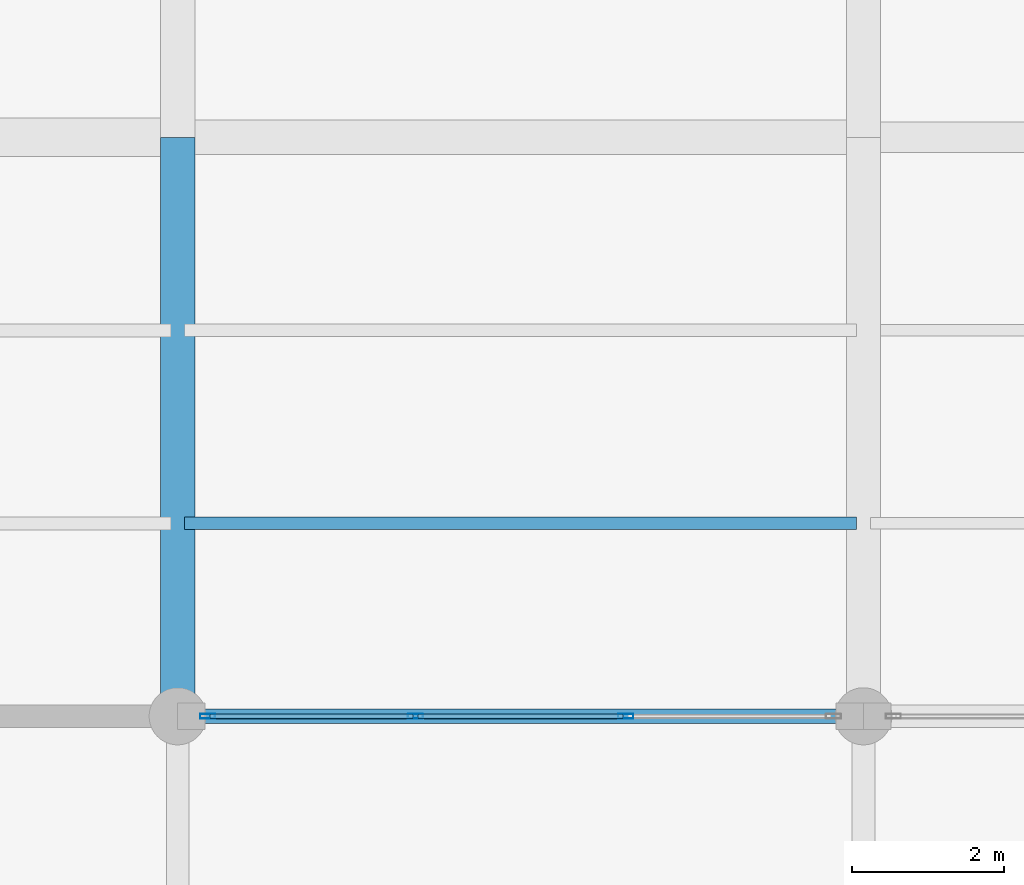
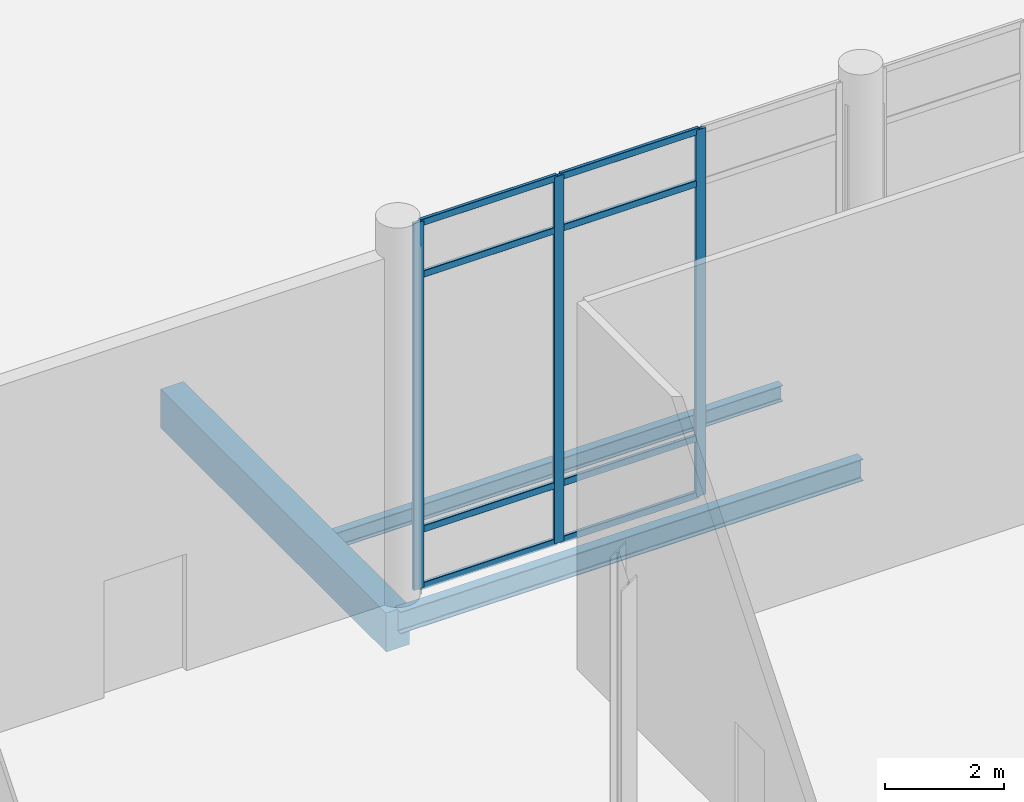
# One storey, part 80 of 176: 11 members, 3 beams, 1 element without a shape of its own.
"""IFC4 building model written with IfcOpenShell, lengths in metres."""

import ifcopenshell
import ifcopenshell.guid

model = None  # the IFC model being written
_history = None  # IfcOwnerHistory: only IFC2X3 demands one
_inside = {}  # id of a spatial element -> (the spatial element, [elements in it])
_under = {}  # id of a project, library or spatial element -> (it, [spatial elements below it])
_declared = {}  # id of a project -> (the project, [libraries it declares])
_typed = {}  # id of a type object -> (the type object, [elements of that type])
_made_of = {}  # id of a material, layer set ... -> (it, [elements and type objects made of it])


def new_model(schema):
    """Start an empty IFC model of exactly this schema.

    Asked for "IFC4X3", IfcOpenShell would pick the latest addendum, in which some entities
    have other attributes; the version numbers below select the first issue.
    IFC2X3 requires an IfcOwnerHistory on every rooted entity: one is made here for all.
    """
    global model, _history
    if schema == "IFC4X3":
        model = ifcopenshell.file(schema_version=(4, 3, 0, 0))
    else:
        model = ifcopenshell.file(schema=schema)
    _inside.clear()
    _under.clear()
    _declared.clear()
    _typed.clear()
    _made_of.clear()
    _history = None
    if model.schema == "IFC2X3":
        org = make("IfcOrganization", Name="unknown")
        user = make(
            "IfcPersonAndOrganization",
            ThePerson=make("IfcPerson", FamilyName="unknown"),
            TheOrganization=org,
        )
        app = make(
            "IfcApplication",
            ApplicationDeveloper=org,
            Version="unknown",
            ApplicationFullName="unknown",
            ApplicationIdentifier="unknown",
        )
        _history = make(
            "IfcOwnerHistory",
            OwningUser=user,
            OwningApplication=app,
            ChangeAction="ADDED",
            CreationDate=0,
        )
    return model


def make(cls, **values):
    """One entity of the class cls with the attributes given. An attribute that is None is left unset."""
    return model.create_entity(
        cls, **{name: value for name, value in values.items() if value is not None}
    )


def rooted(cls, **values):
    """An entity with a GlobalId (a new one), such as an element, a storey or a relation."""
    return make(cls, GlobalId=ifcopenshell.guid.new(), OwnerHistory=_history, **values)


def si_unit(unit_type, name, prefix=None):
    """IfcSIUnit, for example si_unit("LENGTHUNIT", "METRE", prefix="MILLI")."""
    return make("IfcSIUnit", UnitType=unit_type, Prefix=prefix, Name=name)


def assignment(units):
    """IfcUnitAssignment: the units of a project."""
    return None if units is None else make("IfcUnitAssignment", Units=units)


def point(xyz):
    """IfcCartesianPoint."""
    return None if xyz is None else make("IfcCartesianPoint", Coordinates=xyz)


def direction(xyz):
    """IfcDirection."""
    return None if xyz is None else make("IfcDirection", DirectionRatios=xyz)


def frame(location, z_axis=None, x_axis=None):
    """IfcAxis2Placement3D, a coordinate frame: its origin and axes. An axis left out is left unset."""
    return make(
        "IfcAxis2Placement3D",
        Location=point(location),
        Axis=direction(z_axis),
        RefDirection=direction(x_axis),
    )


def frame_2d(location, x_axis=None):
    """IfcAxis2Placement2D, a coordinate frame in the plane: its origin and x axis."""
    return make(
        "IfcAxis2Placement2D", Location=point(location), RefDirection=direction(x_axis)
    )


def origin():
    """The frame at (0, 0, 0) with its axes left unset."""
    return frame((0.0, 0.0, 0.0))


def origin_2d():
    """The frame at (0, 0) in the plane with its x axis left unset."""
    return frame_2d((0.0, 0.0))


def place(relative_to, where):
    """IfcLocalPlacement: puts the frame where relative to a parent placement (None: the world)."""
    return make(
        "IfcLocalPlacement", PlacementRelTo=relative_to, RelativePlacement=where
    )


def context(
    kind, dimensions, precision=None, world=None, true_north=None, identifier=None
):
    """IfcGeometricRepresentationContext, for example the 3D "Model" context."""
    return make(
        "IfcGeometricRepresentationContext",
        ContextIdentifier=identifier,
        ContextType=kind,
        CoordinateSpaceDimension=dimensions,
        Precision=precision,
        WorldCoordinateSystem=world,
        TrueNorth=true_north,
    )


def subcontext(parent, identifier, kind, view, scale=None):
    """IfcGeometricRepresentationSubContext, for example "Body" below "Model"."""
    return make(
        "IfcGeometricRepresentationSubContext",
        ContextIdentifier=identifier,
        ContextType=kind,
        ParentContext=parent,
        TargetScale=scale,
        TargetView=view,
    )


def project(units=None, contexts=None):
    """IfcProject with its units and contexts."""
    return rooted(
        "IfcProject",
        Name="project",
        RepresentationContexts=contexts,
        UnitsInContext=assignment(units),
    )


def spatial(cls, under=None, at=None, **own):
    """A site, building, storey or space (cls), placed at a placement, below another one or the project."""
    s = rooted(cls, ObjectPlacement=at, **own)
    if under is not None:
        _under.setdefault(under.id(), (under, []))[1].append(s)
    return s


def profile(cls, at=None, kind="AREA", **sizes):
    """A parametric profile (cls). Its sizes go by their IFC names, for example OverallWidth=200.0."""
    return make(cls, ProfileType=kind, Position=at, **sizes)


def rectangle(**sizes):
    """IfcRectangleProfileDef."""
    return profile("IfcRectangleProfileDef", **sizes)


def hollow_rectangle(**sizes):
    """IfcRectangleHollowProfileDef."""
    return profile("IfcRectangleHollowProfileDef", **sizes)


def i_section(**sizes):
    """IfcIShapeProfileDef."""
    return profile("IfcIShapeProfileDef", **sizes)


def extrude(swept, where, along, depth):
    """IfcExtrudedAreaSolid: the profile swept, set in the frame where, extruded along a direction by depth."""
    return make(
        "IfcExtrudedAreaSolid",
        SweptArea=swept,
        Position=where,
        ExtrudedDirection=direction(along),
        Depth=depth,
    )


def shape(context_of_items, identifier, shape_type, items):
    """IfcShapeRepresentation: the items that make up one representation, for example the "Body"."""
    return make(
        "IfcShapeRepresentation",
        ContextOfItems=context_of_items,
        RepresentationIdentifier=identifier,
        RepresentationType=shape_type,
        Items=items,
    )


def material(Name=None, Category=None):
    """IfcMaterial."""
    return make("IfcMaterial", Name=Name, Category=Category)


def layer(
    of_material, thickness, ventilated=None, Name=None, Category=None, Priority=None
):
    """IfcMaterialLayer: one layer of a wall or slab, of a material (None: an air gap)."""
    return make(
        "IfcMaterialLayer",
        Material=of_material,
        LayerThickness=thickness,
        IsVentilated=ventilated,
        Name=Name,
        Category=Category,
        Priority=Priority,
    )


def layer_set(layers, Name=None):
    """IfcMaterialLayerSet."""
    return make("IfcMaterialLayerSet", MaterialLayers=layers, LayerSetName=Name)


def material_profile(
    of_material, cross_section, Name=None, Category=None, Priority=None
):
    """IfcMaterialProfile: a cross section and its material."""
    return make(
        "IfcMaterialProfile",
        Name=Name,
        Material=of_material,
        Profile=cross_section,
        Priority=Priority,
        Category=Category,
    )


def profile_set(profiles, Name=None, composite=None):
    """IfcMaterialProfileSet."""
    return make(
        "IfcMaterialProfileSet",
        Name=Name,
        MaterialProfiles=profiles,
        CompositeProfile=composite,
    )


def made_of(thing, what):
    """Note that an element or type object is made of a material, layer set ...; save() writes the relation."""
    if what is not None:
        _made_of.setdefault(what.id(), (what, []))[1].append(thing)
    return thing


def type_object(cls, material=None, **own):
    """A type object (cls), such as IfcWallType, which elements share."""
    return made_of(rooted(cls, **own), material)


def element(
    cls,
    number,
    at=None,
    inside=None,
    cuts=None,
    type_object=None,
    material=None,
    context=None,
    identifier="Body",
    shape_type=None,
    held_by="IfcProductDefinitionShape",
    body=None,
    shapes=None,
    **own,
):
    """One element of the class cls, such as IfcWall. Its Tag is "e" and its number.

    at: its placement. inside: the storey or other place that contains it. cuts: it is an
    opening in that element (IfcRelVoidsElement). A single representation is given by context,
    identifier, shape_type and body (its items); several are given by shapes. held_by: the class
    of the entity that holds the representations. save() writes the other relations.
    """
    e = rooted(cls, Tag="e%d" % number, ObjectPlacement=at, **own)
    if body is not None:
        shapes = [shape(context, identifier, shape_type, body)]
    if shapes is not None:
        e.Representation = make(held_by, Representations=shapes)
    if inside is not None:
        _inside.setdefault(inside.id(), (inside, []))[1].append(e)
    if cuts is not None:
        rooted(
            "IfcRelVoidsElement", RelatingBuildingElement=cuts, RelatedOpeningElement=e
        )
    if type_object is not None:
        _typed.setdefault(type_object.id(), (type_object, []))[1].append(e)
    return made_of(e, material)


def aggregate(whole, parts):
    """IfcRelAggregates: a whole, such as a stair, and the parts it consists of."""
    return rooted("IfcRelAggregates", RelatingObject=whole, RelatedObjects=parts)


def save(model, path):
    """Write the relations noted so far, then the file.

    IfcRelAggregates (storeys below a building ...), IfcRelContainedInSpatialStructure (elements
    in a storey), IfcRelDefinesByType, IfcRelAssociatesMaterial and IfcRelDeclares: one each for
    every whole, place, type object, material and project.
    """
    for whole, parts in _under.values():
        aggregate(whole, parts)
    for where, things in _inside.values():
        rooted(
            "IfcRelContainedInSpatialStructure",
            RelatedElements=things,
            RelatingStructure=where,
        )
    for kind, things in _typed.values():
        rooted("IfcRelDefinesByType", RelatedObjects=things, RelatingType=kind)
    for what, things in _made_of.values():
        rooted("IfcRelAssociatesMaterial", RelatedObjects=things, RelatingMaterial=what)
    for by, libraries in _declared.values():
        rooted("IfcRelDeclares", RelatingContext=by, RelatedDefinitions=libraries)
    model.write(path)


model = new_model("IFC4")

# Units and contexts
model_context = context("Model", 3, precision=1e-05, world=origin(), true_north=direction((0.0, 1.0)))
body_context = subcontext(model_context, "Body", "Model", "MODEL_VIEW")
ifc_project = project(units=[si_unit("LENGTHUNIT", "METRE"), si_unit("AREAUNIT", "SQUARE_METRE"), si_unit("VOLUMEUNIT", "CUBIC_METRE"), si_unit("PLANEANGLEUNIT", "RADIAN"), si_unit("MASSUNIT", "GRAM", prefix="KILO")], contexts=[model_context])

# Site, building, storey
site_placement = place(None, origin())
site = spatial("IfcSite", under=ifc_project, at=site_placement, CompositionType="ELEMENT")
building_placement = place(site_placement, origin())
building = spatial("IfcBuilding", under=site, at=building_placement, Name="Vekula Escarpment Museum", CompositionType="ELEMENT")
storey_placement = place(building_placement, origin())
storey = spatial("IfcBuildingStorey", under=building, at=storey_placement, Name="L01", CompositionType="ELEMENT", Elevation=0.0)

# Beams
ifc_material_1 = material(Name="Steel S355", Category="steel")
ifc_material_profile_1 = material_profile(ifc_material_1, i_section(OverallWidth=0.18994140625, OverallDepth=0.449951171875, WebThickness=0.009521484375, FlangeThickness=0.0146484375, FilletRadius=0.02099609375, at=origin_2d()), Name="IPE 450")
ifc_profile_set_1 = profile_set([ifc_material_profile_1], Name="Steel S355")
beam_type_1 = type_object("IfcBeamType", Name="BM-GIRD-IPE450", PredefinedType="BEAM", material=ifc_profile_set_1)
beam_1_placement = place(storey_placement, frame((146.0, 15.199951171875, -0.52490234375), z_axis=(1.0, 0.0, 0.0), x_axis=(0.0, 1.0, 0.0)))
element("IfcBeam", 1, at=beam_1_placement, inside=storey, type_object=beam_type_1, Name="Beam X L01 0064", PredefinedType="BEAM", context=body_context, shape_type="SweptSolid", body=[
    extrude(i_section(OverallWidth=0.18994140625, OverallDepth=0.449951171875, WebThickness=0.009521484375, FlangeThickness=0.0146484375, FilletRadius=0.02099609375, at=origin_2d()), origin(), (0.0, 0.0, 1.0), 9.0),
])
ifc_material_2 = material(Name="Steel S355", Category="steel")
ifc_material_profile_2 = material_profile(ifc_material_2, i_section(OverallWidth=0.159912109375, OverallDepth=0.330078125, WebThickness=0.007568359375, FlangeThickness=0.011474609375, FilletRadius=0.01806640625, at=origin_2d()), Name="IPE 330")
ifc_profile_set_2 = profile_set([ifc_material_profile_2], Name="Steel S355")
beam_type_2 = type_object("IfcBeamType", Name="BM-JST-IPE330", PredefinedType="JOIST", material=ifc_profile_set_2)
beam_2_placement = place(storey_placement, frame((146.090087890625, 17.7333984375, -0.465087890625), z_axis=(1.0, 0.0, 0.0), x_axis=(0.0, 1.0, 0.0)))
element("IfcBeam", 2, at=beam_2_placement, inside=storey, type_object=beam_type_2, Name="Secondary Joist L01 0479", PredefinedType="JOIST", context=body_context, shape_type="SweptSolid", body=[
    extrude(i_section(OverallWidth=0.159912109375, OverallDepth=0.330078125, WebThickness=0.007568359375, FlangeThickness=0.011474609375, FilletRadius=0.01806640625, at=origin_2d()), origin(), (0.0, 0.0, 1.0), 8.81982421875),
])
ifc_material_3 = material(Name="Concrete C35/45", Category="concrete")
ifc_material_profile_3 = material_profile(ifc_material_3, rectangle(XDim=0.449951171875, YDim=0.800048828125, at=origin_2d()), Name="RC 450x800")
ifc_profile_set_3 = profile_set([ifc_material_profile_3], Name="Concrete C35/45")
beam_type_3 = type_object("IfcBeamType", Name="BM-PLINTH-RC", PredefinedType="BEAM", material=ifc_profile_set_3)
beam_3_placement = place(storey_placement, frame((146.0, 15.199951171875, -0.699951171875), z_axis=(0.0, 1.0, 0.0), x_axis=(-1.0, 0.0, 0.0)))
element("IfcBeam", 3, at=beam_3_placement, inside=storey, type_object=beam_type_3, Name="Beam Y L01 0689", PredefinedType="BEAM", context=body_context, shape_type="SweptSolid", body=[
    extrude(rectangle(XDim=0.449951171875, YDim=0.800048828125, at=origin_2d()), origin(), (0.0, 0.0, 1.0), 7.60009765625),
])

# Curtain wall, members
ifc_material_4 = material(Name="Aluminium thermally broken framing", Category="aluminium")
ifc_layer = layer(ifc_material_4, 0.179931640625)
ifc_layer_set = layer_set([ifc_layer], Name="Aluminium thermally broken framing")
curtain_wall_type = type_object("IfcCurtainWallType", Name="CW-SYS-07", PredefinedType="NOTDEFINED", material=ifc_layer_set)
curtain_wall_placement = place(storey_placement, origin())
curtain_wall = element("IfcCurtainWall", 4, at=curtain_wall_placement, inside=storey, type_object=curtain_wall_type, Name="Curtain Wall CW-L01-017", PredefinedType="NOTDEFINED")
ifc_material_5 = material(Name="Aluminium anodized mullion", Category="aluminium")
ifc_material_profile_4 = material_profile(ifc_material_5, hollow_rectangle(XDim=0.06494140625, YDim=0.199951171875, WallThickness=0.00390625, InnerFilletRadius=0.00390625, OuterFilletRadius=0.008056640625, at=origin_2d()), Name="ALU 200x65x4")
ifc_profile_set_4 = profile_set([ifc_material_profile_4], Name="Aluminium anodized mullion")
member_type_1 = type_object("IfcMemberType", Name="CW-MUL-200", PredefinedType="MULLION", material=ifc_profile_set_4)
member_1_placement = place(storey_placement, frame((151.8798828125, 15.199951171875, 0.0), z_axis=(0.0, 0.0, 1.0), x_axis=(0.0, -1.0, 0.0)))
member_1 = element("IfcMember", 5, at=member_1_placement, type_object=member_type_1, Name="CW-07 mullion 2", PredefinedType="MULLION", context=body_context, shape_type="SweptSolid", body=[
    extrude(hollow_rectangle(XDim=0.06494140625, YDim=0.199951171875, WallThickness=0.00390625, InnerFilletRadius=0.00390625, OuterFilletRadius=0.008056640625, at=origin_2d()), origin(), (0.0, 0.0, 1.0), 7.5400390625),
])
member_2_placement = place(storey_placement, frame((149.1201171875, 15.199951171875, 0.0), z_axis=(0.0, 0.0, 1.0), x_axis=(0.0, -1.0, 0.0)))
member_2 = element("IfcMember", 6, at=member_2_placement, type_object=member_type_1, Name="CW-07 mullion 3", PredefinedType="MULLION", context=body_context, shape_type="SweptSolid", body=[
    extrude(hollow_rectangle(XDim=0.06494140625, YDim=0.199951171875, WallThickness=0.00390625, InnerFilletRadius=0.00390625, OuterFilletRadius=0.008056640625, at=origin_2d()), origin(), (0.0, 0.0, 1.0), 7.5400390625),
])
member_3_placement = place(storey_placement, frame((146.392578125, 15.199951171875, 0.0), z_axis=(0.0, 0.0, 1.0), x_axis=(0.0, -1.0, 0.0)))
member_3 = element("IfcMember", 7, at=member_3_placement, type_object=member_type_1, Name="CW-07 mullion 4", PredefinedType="MULLION", context=body_context, shape_type="SweptSolid", body=[
    extrude(hollow_rectangle(XDim=0.06494140625, YDim=0.199951171875, WallThickness=0.00390625, InnerFilletRadius=0.00390625, OuterFilletRadius=0.008056640625, at=origin_2d()), origin(), (0.0, 0.0, 1.0), 7.5400390625),
])
ifc_material_6 = material(Name="Aluminium anodized transom", Category="aluminium")
ifc_material_profile_5 = material_profile(ifc_material_6, hollow_rectangle(XDim=0.06494140625, YDim=0.139892578125, WallThickness=0.00390625, InnerFilletRadius=0.00390625, OuterFilletRadius=0.008056640625, at=origin_2d()), Name="ALU 140x65x4")
ifc_profile_set_5 = profile_set([ifc_material_profile_5], Name="Aluminium anodized transom")
member_type_2 = type_object("IfcMemberType", Name="CW-TRN-140", PredefinedType="USERDEFINED", material=ifc_profile_set_5)
member_4_placement = place(storey_placement, frame((151.847412109375, 15.199951171875, 0.032470703125), z_axis=(-1.0, 0.0, 0.0), x_axis=(0.0, -1.0, 0.0)))
member_4 = element("IfcMember", 8, at=member_4_placement, type_object=member_type_2, Name="CW-07 transom 2.1", ObjectType="TRANSOM", PredefinedType="USERDEFINED", context=body_context, shape_type="SweptSolid", body=[
    extrude(hollow_rectangle(XDim=0.06494140625, YDim=0.139892578125, WallThickness=0.00390625, InnerFilletRadius=0.00390625, OuterFilletRadius=0.008056640625, at=origin_2d()), origin(), (0.0, 0.0, 1.0), 2.69482421875),
])
member_5_placement = place(storey_placement, frame((151.847412109375, 15.199951171875, 1.199951171875), z_axis=(-1.0, 0.0, 0.0), x_axis=(0.0, -1.0, 0.0)))
member_5 = element("IfcMember", 9, at=member_5_placement, type_object=member_type_2, Name="CW-07 transom 2.2", ObjectType="TRANSOM", PredefinedType="USERDEFINED", context=body_context, shape_type="SweptSolid", body=[
    extrude(hollow_rectangle(XDim=0.06494140625, YDim=0.139892578125, WallThickness=0.00390625, InnerFilletRadius=0.00390625, OuterFilletRadius=0.008056640625, at=origin_2d()), origin(), (0.0, 0.0, 1.0), 2.69482421875),
])
member_6_placement = place(storey_placement, frame((151.847412109375, 15.199951171875, 6.43994140625), z_axis=(-1.0, 0.0, 0.0), x_axis=(0.0, -1.0, 0.0)))
member_6 = element("IfcMember", 10, at=member_6_placement, type_object=member_type_2, Name="CW-07 transom 2.3", ObjectType="TRANSOM", PredefinedType="USERDEFINED", context=body_context, shape_type="SweptSolid", body=[
    extrude(hollow_rectangle(XDim=0.06494140625, YDim=0.139892578125, WallThickness=0.00390625, InnerFilletRadius=0.00390625, OuterFilletRadius=0.008056640625, at=origin_2d()), origin(), (0.0, 0.0, 1.0), 2.69482421875),
])
member_7_placement = place(storey_placement, frame((151.847412109375, 15.199951171875, 7.507568359375), z_axis=(-1.0, 0.0, 0.0), x_axis=(0.0, -1.0, 0.0)))
member_7 = element("IfcMember", 11, at=member_7_placement, type_object=member_type_2, Name="CW-07 transom 2.4", ObjectType="TRANSOM", PredefinedType="USERDEFINED", context=body_context, shape_type="SweptSolid", body=[
    extrude(hollow_rectangle(XDim=0.06494140625, YDim=0.139892578125, WallThickness=0.00390625, InnerFilletRadius=0.00390625, OuterFilletRadius=0.008056640625, at=origin_2d()), origin(), (0.0, 0.0, 1.0), 2.69482421875),
])
member_8_placement = place(storey_placement, frame((149.08740234375, 15.199951171875, 0.032470703125), z_axis=(-1.0, 0.0, 0.0), x_axis=(0.0, -1.0, 0.0)))
member_8 = element("IfcMember", 12, at=member_8_placement, type_object=member_type_2, Name="CW-07 transom 3.1", ObjectType="TRANSOM", PredefinedType="USERDEFINED", context=body_context, shape_type="SweptSolid", body=[
    extrude(hollow_rectangle(XDim=0.06494140625, YDim=0.139892578125, WallThickness=0.00390625, InnerFilletRadius=0.00390625, OuterFilletRadius=0.008056640625, at=origin_2d()), origin(), (0.0, 0.0, 1.0), 2.662353515625),
])
member_9_placement = place(storey_placement, frame((149.08740234375, 15.199951171875, 1.199951171875), z_axis=(-1.0, 0.0, 0.0), x_axis=(0.0, -1.0, 0.0)))
member_9 = element("IfcMember", 13, at=member_9_placement, type_object=member_type_2, Name="CW-07 transom 3.2", ObjectType="TRANSOM", PredefinedType="USERDEFINED", context=body_context, shape_type="SweptSolid", body=[
    extrude(hollow_rectangle(XDim=0.06494140625, YDim=0.139892578125, WallThickness=0.00390625, InnerFilletRadius=0.00390625, OuterFilletRadius=0.008056640625, at=origin_2d()), origin(), (0.0, 0.0, 1.0), 2.662353515625),
])
member_10_placement = place(storey_placement, frame((149.08740234375, 15.199951171875, 6.43994140625), z_axis=(-1.0, 0.0, 0.0), x_axis=(0.0, -1.0, 0.0)))
member_10 = element("IfcMember", 14, at=member_10_placement, type_object=member_type_2, Name="CW-07 transom 3.3", ObjectType="TRANSOM", PredefinedType="USERDEFINED", context=body_context, shape_type="SweptSolid", body=[
    extrude(hollow_rectangle(XDim=0.06494140625, YDim=0.139892578125, WallThickness=0.00390625, InnerFilletRadius=0.00390625, OuterFilletRadius=0.008056640625, at=origin_2d()), origin(), (0.0, 0.0, 1.0), 2.662353515625),
])
member_11_placement = place(storey_placement, frame((149.08740234375, 15.199951171875, 7.507568359375), z_axis=(-1.0, 0.0, 0.0), x_axis=(0.0, -1.0, 0.0)))
member_11 = element("IfcMember", 15, at=member_11_placement, type_object=member_type_2, Name="CW-07 transom 3.4", ObjectType="TRANSOM", PredefinedType="USERDEFINED", context=body_context, shape_type="SweptSolid", body=[
    extrude(hollow_rectangle(XDim=0.06494140625, YDim=0.139892578125, WallThickness=0.00390625, InnerFilletRadius=0.00390625, OuterFilletRadius=0.008056640625, at=origin_2d()), origin(), (0.0, 0.0, 1.0), 2.662353515625),
])
aggregate(curtain_wall, [member_1, member_2, member_3, member_4, member_5, member_6, member_7, member_8, member_9, member_10, member_11])

save(model, "model.ifc")
